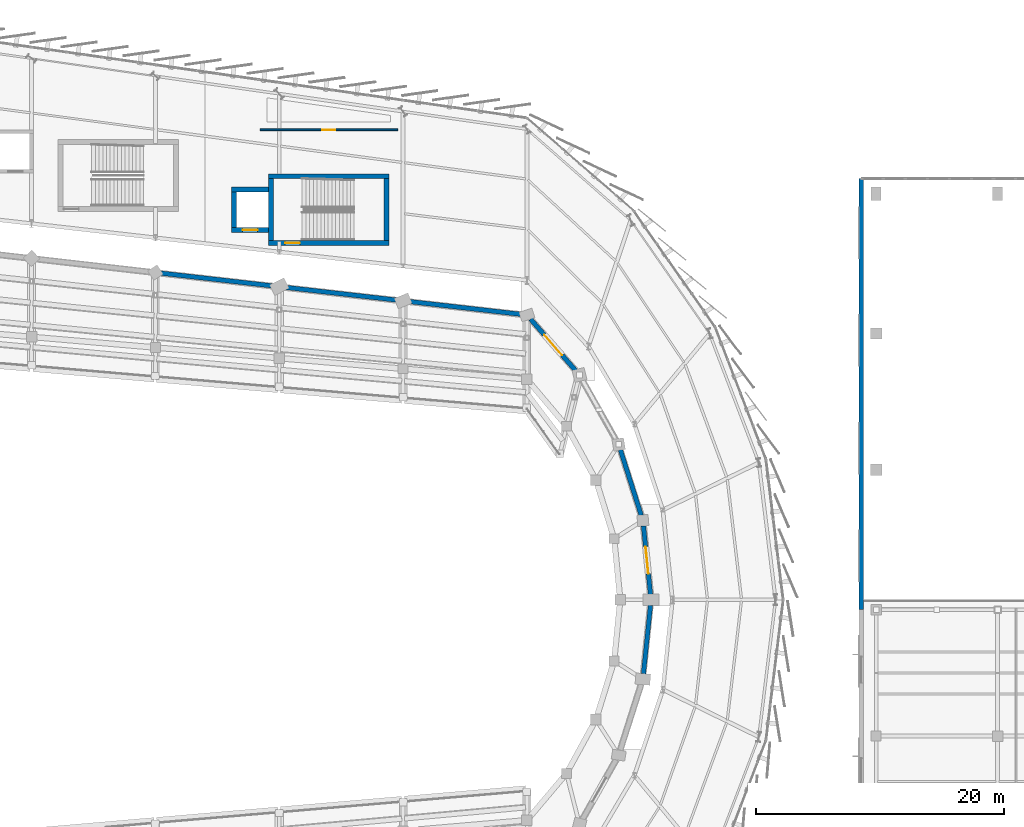
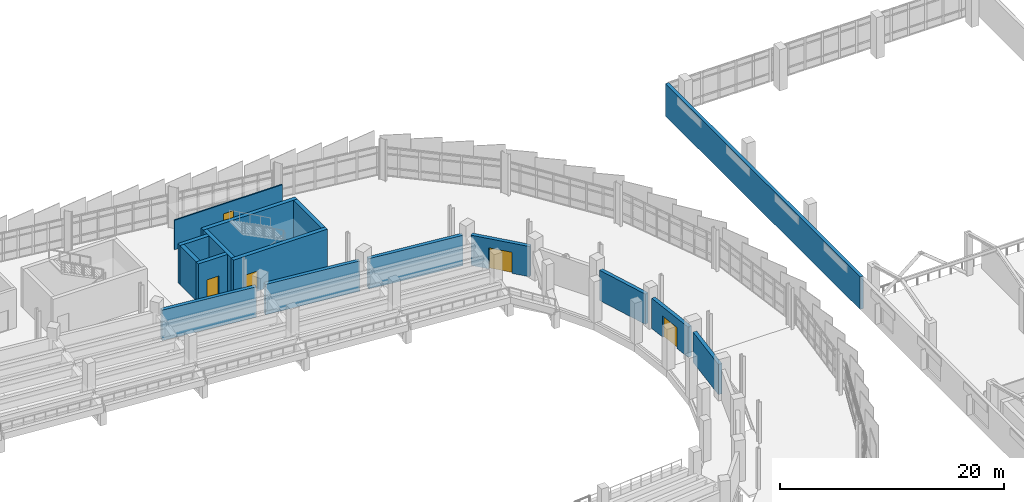
# One storey, part 105 of 120: 16 walls, 5 doors, 5 openings.
"""IFC4 building model written with IfcOpenShell, lengths in metres."""

from ifc_helpers import new_model, si_unit, direction, frame, frame_2d, origin, place, context, subcontext, project, spatial, rectangle, extrude, material, layer, layer_set, type_object, element, fill, save


model = new_model("IFC4")

# Units and contexts
model_context = context("Model", 3, precision=1e-05, world=origin(), true_north=direction((0.0, 1.0)))
body_context = subcontext(model_context, "Body", "Model", "MODEL_VIEW")
ifc_project = project(units=[si_unit("LENGTHUNIT", "METRE"), si_unit("AREAUNIT", "SQUARE_METRE"), si_unit("VOLUMEUNIT", "CUBIC_METRE"), si_unit("PLANEANGLEUNIT", "RADIAN"), si_unit("MASSUNIT", "GRAM", prefix="KILO")], contexts=[model_context])

# Site, building, storey
site_placement = place(None, origin())
site = spatial("IfcSite", under=ifc_project, at=site_placement, CompositionType="ELEMENT")
building_placement = place(site_placement, origin())
building = spatial("IfcBuilding", under=site, at=building_placement, Name="Sohan Crest Arena", CompositionType="ELEMENT")
storey_placement = place(building_placement, frame((0.0, 0.0, 13.5)))
storey = spatial("IfcBuildingStorey", under=building, at=storey_placement, Name="L03", CompositionType="ELEMENT", Elevation=13.5)

# Walls
ifc_material_1 = material(Name="Honed dark basalt stone cladding wall", Category="masonry")
ifc_layer_1 = layer(ifc_material_1, 0.340087890625, Name="Honed dark basalt stone cladding wall")
ifc_layer_set_1 = layer_set([ifc_layer_1], Name="Honed dark basalt stone cladding wall")
wall_type_1 = type_object("IfcWallType", Name="WAL-EW04", PredefinedType="SOLIDWALL", material=ifc_layer_set_1)
wall_1_placement = place(storey_placement, frame((195.0, 112.0, 0.0), z_axis=(0.0, 0.0, 1.0), x_axis=(0.0, -1.0, 0.0)))
element("IfcWall", 1, at=wall_1_placement, inside=storey, type_object=wall_type_1, Name="External wall EW-123", PredefinedType="SOLIDWALL", context=body_context, shape_type="SweptSolid", body=[
    extrude(rectangle(XDim=34.800048828125, YDim=0.340087890625, at=frame_2d((17.39990234375, 0.0))), origin(), (0.0, 0.0, 1.0), 3.550048828125),
])
ifc_material_2 = material(Name="Acoustic insulated bowl drum enclosure wall", Category="masonry")
ifc_layer_2 = layer(ifc_material_2, 0.3701171875, Name="Acoustic insulated bowl drum enclosure wall")
ifc_layer_set_2 = layer_set([ifc_layer_2], Name="Acoustic insulated bowl drum enclosure wall")
wall_type_2 = type_object("IfcWallType", Name="WAL-EW05", PredefinedType="SOLIDWALL", material=ifc_layer_set_2)
wall_2_placement = place(storey_placement, frame((177.407958984375, 72.031005859375, 0.0), z_axis=(0.0, 0.0, 1.0), x_axis=(0.102524636366, 0.994730465472, 0.0)))
element("IfcWall", 2, at=wall_2_placement, inside=storey, type_object=wall_type_2, Name="Acoustic bowl drum wall BW-L03-23", PredefinedType="SOLIDWALL", context=body_context, shape_type="SweptSolid", body=[
    extrude(rectangle(XDim=5.560302734375, YDim=0.3701171875, at=frame_2d((2.7802734375, 0.0))), origin(), (0.0, 0.0, 1.0), 3.300048828125),
])

# Wall, opening, door
wall_3_placement = place(storey_placement, frame((177.97802734375, 78.43798828125, 0.0), z_axis=(0.0, 0.0, 1.0), x_axis=(-0.102524636366, 0.994730465472, 0.0)))
wall_3 = element("IfcWall", 3, at=wall_3_placement, inside=storey, type_object=wall_type_2, Name="Acoustic bowl drum wall BW-L03-24", PredefinedType="SOLIDWALL", context=body_context, shape_type="SweptSolid", body=[
    extrude(rectangle(XDim=5.560302734375, YDim=0.3701171875, at=frame_2d((2.7802734375, 0.0))), origin(), (0.0, 0.0, 1.0), 3.300048828125),
])
opening_1_placement = place(wall_3_placement, frame((1.679931640625, 0.0, 0.0)))
opening_1 = element("IfcOpeningElement", 4, at=opening_1_placement, cuts=wall_3, Name="Opening VD-L03-24", PredefinedType="OPENING", context=body_context, shape_type="SweptSolid", body=[
    extrude(rectangle(XDim=2.199951171875, YDim=2.300048828125, at=frame_2d((1.10009765625, 1.14990234375))), frame((0.0, 0.195068359375, 0.0), z_axis=(0.0, -1.0, 0.0), x_axis=(1.0, 0.0, 0.0)), (0.0, 0.0, 1.0), 0.39013671875),
])
ifc_material_3 = material(Name="Fire-rated steel double escape door", Category="steel")
door_type_1 = type_object("IfcDoorType", Name="DR-FD01", OperationType="DOUBLE_DOOR_SINGLE_SWING", PredefinedType="DOOR", material=ifc_material_3)
door_1_placement = place(opening_1_placement, origin())
door_1 = element("IfcDoor", 5, at=door_1_placement, inside=storey, type_object=door_type_1, Name="Bowl vomitory portal fire door VD-L03-24", OperationType="DOUBLE_DOOR_SINGLE_SWING", OverallHeight=2.300048828125, OverallWidth=2.199951171875, PredefinedType="DOOR", context=body_context, shape_type="SweptSolid", body=[
    extrude(rectangle(XDim=2.199951171875, YDim=2.300048828125, at=frame_2d((1.10009765625, 1.14990234375))), frame((0.0, 0.02490234375, 0.0), z_axis=(0.0, -1.0, 0.0), x_axis=(1.0, 0.0, 0.0)), (0.0, 0.0, 1.0), 0.050048828125),
])
fill(opening_1, door_1)

# Wall
wall_4_placement = place(storey_placement, frame((177.22998046875, 84.825927734375, 0.0), z_axis=(0.0, 0.0, 1.0), x_axis=(-0.30346633641, 0.952842160416, 0.0)))
element("IfcWall", 6, at=wall_4_placement, inside=storey, type_object=wall_type_2, Name="Acoustic bowl drum wall BW-L03-25", PredefinedType="SOLIDWALL", context=body_context, shape_type="SweptSolid", body=[
    extrude(rectangle(XDim=5.562255859375, YDim=0.3701171875, at=frame_2d((2.78125, 0.0))), origin(), (0.0, 0.0, 1.0), 3.300048828125),
])

# Wall, opening, door
wall_5_placement = place(storey_placement, frame((171.952880859375, 96.485107421875, 0.0), z_axis=(0.0, 0.0, 1.0), x_axis=(-0.658706624818, 0.752399881991, 0.0)))
wall_5 = element("IfcWall", 7, at=wall_5_placement, inside=storey, type_object=wall_type_2, Name="Acoustic bowl drum wall BW-L03-27", PredefinedType="SOLIDWALL", context=body_context, shape_type="SweptSolid", body=[
    extrude(rectangle(XDim=5.560546875, YDim=0.3701171875, at=frame_2d((2.7802734375, 0.0))), origin(), (0.0, 0.0, 1.0), 3.300048828125),
])
opening_2_placement = place(wall_5_placement, frame((1.679931640625, 0.0, 0.0)))
opening_2 = element("IfcOpeningElement", 8, at=opening_2_placement, cuts=wall_5, Name="Opening VD-L03-27", PredefinedType="OPENING", context=body_context, shape_type="SweptSolid", body=[
    extrude(rectangle(XDim=2.199951171875, YDim=2.300048828125, at=frame_2d((1.10009765625, 1.14990234375))), frame((0.0, 0.195068359375, 0.0), z_axis=(0.0, -1.0, 0.0), x_axis=(1.0, 0.0, 0.0)), (0.0, 0.0, 1.0), 0.39013671875),
])
door_2_placement = place(opening_2_placement, origin())
door_2 = element("IfcDoor", 9, at=door_2_placement, inside=storey, type_object=door_type_1, Name="Bowl vomitory portal fire door VD-L03-27", OperationType="DOUBLE_DOOR_SINGLE_SWING", OverallHeight=2.300048828125, OverallWidth=2.199951171875, PredefinedType="DOOR", context=body_context, shape_type="SweptSolid", body=[
    extrude(rectangle(XDim=2.199951171875, YDim=2.300048828125, at=frame_2d((1.10009765625, 1.14990234375))), frame((0.0, 0.02490234375, 0.0), z_axis=(0.0, -1.0, 0.0), x_axis=(1.0, 0.0, 0.0)), (0.0, 0.0, 1.0), 0.050048828125),
])
fill(opening_2, door_2)

# Walls
for number, where, z_axis, x_axis, name in (
    (10, (167.56298828125, 101.050048828125, 0.0), (0.0, 0.0, 1.0), (-0.993532672656, 0.113546591161, 0.0), "Acoustic bowl drum wall BW-L03-28"),
    (11, (157.56298828125, 102.193115234375, 0.0), (0.0, 0.0, 1.0), (-0.993532672656, 0.113546591161, 0.0), "Acoustic bowl drum wall BW-L03-29"),
    (12, (147.56298828125, 103.3359375, 0.0), (0.0, 0.0, 1.0), (-0.993532672656, 0.113546591161, 0.0), "Acoustic bowl drum wall BW-L03-30"),
):
    element("IfcWall", number, at=place(storey_placement, frame(where, z_axis=z_axis, x_axis=x_axis)), inside=storey, type_object=wall_type_2, Name=name, PredefinedType="SOLIDWALL", context=body_context, shape_type="SweptSolid", body=[
        extrude(rectangle(XDim=9.185302734375, YDim=0.3701171875, at=frame_2d((4.5927734375, 0.0))), origin(), (0.0, 0.0, 1.0), 3.300048828125),
    ])

# Wall, opening, door
ifc_material_4 = material(Name="Suite acoustic stud partition", Category="masonry")
ifc_layer_3 = layer(ifc_material_4, 0.135009765625, Name="Suite acoustic stud partition")
ifc_layer_set_3 = layer_set([ifc_layer_3], Name="Suite acoustic stud partition")
wall_type_3 = type_object("IfcWallType", Name="WAL-PW02", PredefinedType="PARTITIONING", material=ifc_layer_set_3)
wall_6_placement = place(storey_placement, frame((146.449951171875, 115.949951171875, 0.0), z_axis=(0.0, 0.0, 1.0), x_axis=(1.0, 0.0, 0.0)))
wall_6 = element("IfcWall", 13, at=wall_6_placement, inside=storey, type_object=wall_type_3, Name="Interior partition wall PW-0883", PredefinedType="PARTITIONING", context=body_context, shape_type="SweptSolid", body=[
    extrude(rectangle(XDim=11.10009765625, YDim=0.135009765625, at=frame_2d((5.550048828125, 0.0))), origin(), (0.0, 0.0, 1.0), 3.219970703125),
])
opening_3_placement = place(wall_6_placement, frame((5.02490234375, 0.0, 0.0)))
opening_3 = element("IfcOpeningElement", 14, at=opening_3_placement, cuts=wall_6, Name="Opening RM-0257", PredefinedType="OPENING", context=body_context, shape_type="SweptSolid", body=[
    extrude(rectangle(XDim=1.050048828125, YDim=2.14990234375, at=frame_2d((0.52490234375, 1.074951171875))), frame((0.0, 0.077392578125, 0.0), z_axis=(0.0, -1.0, 0.0), x_axis=(1.0, 0.0, 0.0)), (0.0, 0.0, 1.0), 0.155029296875),
])
ifc_material_5 = material(Name="Fire-rated acoustic suite entrance door", Category="wood")
door_type_2 = type_object("IfcDoorType", Name="DR-FD05", OperationType="NOTDEFINED", PredefinedType="DOOR", material=ifc_material_5)
door_3_placement = place(opening_3_placement, origin())
door_3 = element("IfcDoor", 15, at=door_3_placement, inside=storey, type_object=door_type_2, Name="Hospitality Suite door RM-0257", OperationType="SINGLE_SWING_LEFT", OverallHeight=2.14990234375, OverallWidth=1.050048828125, PredefinedType="DOOR", context=body_context, shape_type="SweptSolid", body=[
    extrude(rectangle(XDim=1.050048828125, YDim=2.14990234375, at=frame_2d((0.52490234375, 1.074951171875))), frame((0.0, 0.02490234375, 0.0), z_axis=(0.0, -1.0, 0.0), x_axis=(1.0, 0.0, 0.0)), (0.0, 0.0, 1.0), 0.050048828125),
])
fill(opening_3, door_3)

# Walls
ifc_material_6 = material(Name="Concrete C40/50", Category="concrete")
ifc_layer_4 = layer(ifc_material_6, 0.39990234375, Name="Concrete C40/50")
ifc_layer_set_4 = layer_set([ifc_layer_4], Name="Concrete C40/50")
wall_type_4 = type_object("IfcWallType", Name="WAL-SW03", PredefinedType="SHEAR", material=ifc_layer_set_4)
for number, where, z_axis, x_axis, name in (
    (16, (147.35009765625, 107.0, 0.0), (0.0, 0.0, 1.0), (0.0, 1.0, 0.0), "Core shear wall SW-0473"),
    (17, (156.64990234375, 107.0, 0.0), (0.0, 0.0, 1.0), (0.0, 1.0, 0.0), "Core shear wall SW-0474"),
):
    element("IfcWall", number, at=place(storey_placement, frame(where, z_axis=z_axis, x_axis=x_axis)), inside=storey, type_object=wall_type_4, Name=name, PredefinedType="SHEAR", context=body_context, shape_type="SweptSolid", body=[
        extrude(rectangle(XDim=5.0, YDim=0.39990234375, at=frame_2d((2.5, 0.0))), origin(), (0.0, 0.0, 1.0), 4.25),
    ])

# Wall, opening, door
wall_7_placement = place(storey_placement, frame((147.14990234375, 106.800048828125, 0.0), z_axis=(0.0, 0.0, 1.0), x_axis=(1.0, 0.0, 0.0)))
wall_7 = element("IfcWall", 18, at=wall_7_placement, inside=storey, type_object=wall_type_4, Name="Core shear wall SW-0475", PredefinedType="SHEAR", context=body_context, shape_type="SweptSolid", body=[
    extrude(rectangle(XDim=9.7001953125, YDim=0.39990234375, at=frame_2d((4.85009765625, 0.0))), origin(), (0.0, 0.0, 1.0), 4.25),
])
opening_4_placement = place(wall_7_placement, frame((1.320068359375, 0.0, 0.0)))
opening_4 = element("IfcOpeningElement", 19, at=opening_4_placement, cuts=wall_7, Name="Opening SD-0131", PredefinedType="OPENING", context=body_context, shape_type="SweptSolid", body=[
    extrude(rectangle(XDim=1.199951171875, YDim=2.199951171875, at=frame_2d((0.60009765625, 1.10009765625))), frame((0.0, 0.2099609375, 0.0), z_axis=(0.0, -1.0, 0.0), x_axis=(1.0, 0.0, 0.0)), (0.0, 0.0, 1.0), 0.419921875),
])
ifc_material_7 = material(Name="Fire-rated steel stair and lobby door", Category="steel")
door_type_3 = type_object("IfcDoorType", Name="DR-FD04", OperationType="NOTDEFINED", PredefinedType="DOOR", material=ifc_material_7)
door_4_placement = place(opening_4_placement, frame((1.199951171875, 0.0, 0.0), z_axis=(0.0, 0.0, 1.0), x_axis=(-1.0, 0.0, 0.0)))
door_4 = element("IfcDoor", 20, at=door_4_placement, inside=storey, type_object=door_type_3, Name="Protected stair door SD-0131", OperationType="SINGLE_SWING_LEFT", OverallHeight=2.199951171875, OverallWidth=1.199951171875, PredefinedType="DOOR", context=body_context, shape_type="SweptSolid", body=[
    extrude(rectangle(XDim=1.199951171875, YDim=2.199951171875, at=frame_2d((0.60009765625, 1.10009765625))), frame((0.0, 0.02490234375, 0.0), z_axis=(0.0, -1.0, 0.0), x_axis=(1.0, 0.0, 0.0)), (0.0, 0.0, 1.0), 0.050048828125),
])
fill(opening_4, door_4)

# Walls
wall_8_placement = place(storey_placement, frame((147.14990234375, 112.199951171875, 0.0), z_axis=(0.0, 0.0, 1.0), x_axis=(1.0, 0.0, 0.0)))
element("IfcWall", 21, at=wall_8_placement, inside=storey, type_object=wall_type_4, Name="Core shear wall SW-0476", PredefinedType="SHEAR", context=body_context, shape_type="SweptSolid", body=[
    extrude(rectangle(XDim=9.7001953125, YDim=0.39990234375, at=frame_2d((4.85009765625, 0.0))), origin(), (0.0, 0.0, 1.0), 4.25),
])
wall_9_placement = place(storey_placement, frame((144.35009765625, 108.050048828125, 0.0), z_axis=(0.0, 0.0, 1.0), x_axis=(0.0, 1.0, 0.0)))
element("IfcWall", 22, at=wall_9_placement, inside=storey, type_object=wall_type_4, Name="Core shear wall SW-0477", PredefinedType="SHEAR", context=body_context, shape_type="SweptSolid", body=[
    extrude(rectangle(XDim=2.89990234375, YDim=0.39990234375, at=frame_2d((1.449951171875, 0.0))), origin(), (0.0, 0.0, 1.0), 4.25),
])

# Wall, opening, door
wall_10_placement = place(storey_placement, frame((144.14990234375, 107.85009765625, 0.0), z_axis=(0.0, 0.0, 1.0), x_axis=(1.0, 0.0, 0.0)))
wall_10 = element("IfcWall", 23, at=wall_10_placement, inside=storey, type_object=wall_type_4, Name="Core shear wall SW-0478", PredefinedType="SHEAR", context=body_context, shape_type="SweptSolid", body=[
    extrude(rectangle(XDim=3.0, YDim=0.39990234375, at=frame_2d((1.5, 0.0))), origin(), (0.0, 0.0, 1.0), 4.25),
])
opening_5_placement = place(wall_10_placement, frame((0.89990234375, 0.0, 0.0)))
opening_5 = element("IfcOpeningElement", 24, at=opening_5_placement, cuts=wall_10, Name="Opening LD-LP08-L03", PredefinedType="OPENING", context=body_context, shape_type="SweptSolid", body=[
    extrude(rectangle(XDim=1.199951171875, YDim=2.199951171875, at=frame_2d((0.60009765625, 1.10009765625))), frame((0.0, 0.2099609375, 0.0), z_axis=(0.0, -1.0, 0.0), x_axis=(1.0, 0.0, 0.0)), (0.0, 0.0, 1.0), 0.419921875),
])
ifc_material_8 = material(Name="Stainless steel passenger lift landing door", Category="steel")
door_type_4 = type_object("IfcDoorType", Name="DR-LD02", OperationType="SLIDING_TO_LEFT", PredefinedType="DOOR", material=ifc_material_8)
door_5_placement = place(opening_5_placement, origin())
door_5 = element("IfcDoor", 25, at=door_5_placement, inside=storey, type_object=door_type_4, Name="Sliding lift landing door LD-LP08-L03", OperationType="SLIDING_TO_LEFT", OverallHeight=2.199951171875, OverallWidth=1.199951171875, PredefinedType="DOOR", context=body_context, shape_type="SweptSolid", body=[
    extrude(rectangle(XDim=1.199951171875, YDim=2.199951171875, at=frame_2d((0.60009765625, 1.10009765625))), frame((0.0, 0.02490234375, 0.0), z_axis=(0.0, -1.0, 0.0), x_axis=(1.0, 0.0, 0.0)), (0.0, 0.0, 1.0), 0.050048828125),
])
fill(opening_5, door_5)

# Wall
wall_11_placement = place(storey_placement, frame((144.14990234375, 111.14990234375, 0.0), z_axis=(0.0, 0.0, 1.0), x_axis=(1.0, 0.0, 0.0)))
element("IfcWall", 26, at=wall_11_placement, inside=storey, type_object=wall_type_4, Name="Core shear wall SW-0479", PredefinedType="SHEAR", context=body_context, shape_type="SweptSolid", body=[
    extrude(rectangle(XDim=3.0, YDim=0.39990234375, at=frame_2d((1.5, 0.0))), origin(), (0.0, 0.0, 1.0), 4.25),
])

save(model, "model.ifc")
